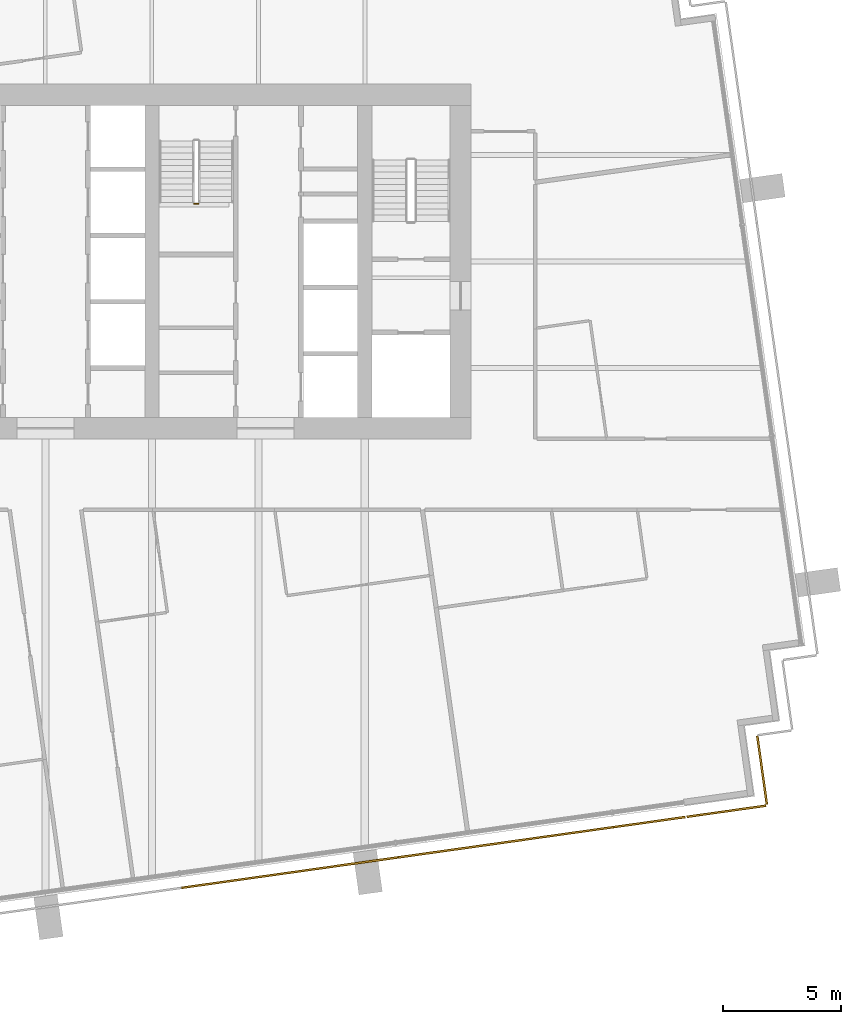
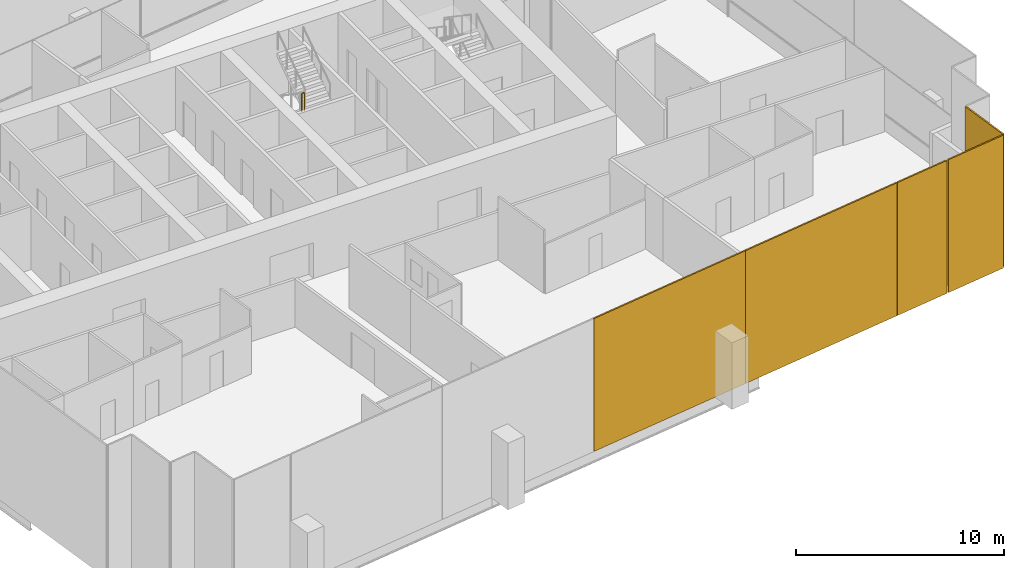
# One storey, part 14 of 17: 5 coverings, 1 railing.
"""IFC4 building model written with IfcOpenShell, lengths in metres."""

from ifc_helpers import new_model, si_unit, direction, frame, origin, origin_2d, place, context, subcontext, project, spatial, rectangle, extrude, material, layer, layer_set, type_object, element, save


model = new_model("IFC4")

# Units and contexts
model_context = context("Model", 3, precision=1e-05, world=origin(), true_north=direction((0.0, 1.0)))
body_context = subcontext(model_context, "Body", "Model", "MODEL_VIEW")
ifc_project = project(units=[si_unit("LENGTHUNIT", "METRE"), si_unit("AREAUNIT", "SQUARE_METRE"), si_unit("VOLUMEUNIT", "CUBIC_METRE"), si_unit("PLANEANGLEUNIT", "RADIAN"), si_unit("MASSUNIT", "GRAM", prefix="KILO")], contexts=[model_context])

# Site, building, storey
site_placement = place(None, origin())
site = spatial("IfcSite", under=ifc_project, at=site_placement, CompositionType="ELEMENT")
building_placement = place(site_placement, origin())
building = spatial("IfcBuilding", under=site, at=building_placement, Name="Rattan Terrace Tower", CompositionType="ELEMENT")
storey_placement = place(building_placement, frame((0.0, 0.0, 225.199951171875)))
storey = spatial("IfcBuildingStorey", under=building, at=storey_placement, Name="L51", CompositionType="ELEMENT", Elevation=225.199951171875)

# Railing
ifc_material_1 = material(Name="Powder-coated steel guard", Category="steel")
railing_type = type_object("IfcRailingType", Name="Core stair guard", PredefinedType="GUARDRAIL", material=ifc_material_1)
railing_placement = place(storey_placement, frame((6.300048828125, 2.449951171875, 1.949951171875)))
element("IfcRailing", 1, at=railing_placement, inside=storey, type_object=railing_type, Name="L51 S3 stair guard 2", PredefinedType="GUARDRAIL", context=body_context, shape_type="SweptSolid", body=[
    extrude(rectangle(XDim=0.048095703125, YDim=0.048095703125, at=origin_2d()), frame((0.0, 0.0, 1.076171875), z_axis=(1.0, 0.0, 0.0), x_axis=(0.0, 1.0, 0.0)), (0.0, 0.0, 1.0), 0.14990234375),
    extrude(rectangle(XDim=0.0419921875, YDim=0.0419921875, at=origin_2d()), origin(), (0.0, 0.0, 1.0), 1.052001953125),
    extrude(rectangle(XDim=0.0419921875, YDim=0.0419921875, at=origin_2d()), frame((0.14990234375, 0.0, 0.0)), (0.0, 0.0, 1.0), 1.052001953125),
])

# Coverings
ifc_material_2 = material(Name="Perforated terracotta", Category="masonry")
ifc_layer = layer(ifc_material_2, 0.080078125)
ifc_layer_set = layer_set([ifc_layer], Name="Facade Terracotta Screen Panel HZ")
covering_type = type_object("IfcCoveringType", Name="Facade Terracotta Screen Panel HZ", PredefinedType="CLADDING", material=ifc_layer_set)
covering_1_placement = place(storey_placement, frame((28.791259765625, -23.2421875, -0.18994140625), z_axis=(0.0, 0.0, 1.0), x_axis=(0.990247240581, 0.139321220646, 0.0)))
element("IfcCovering", 2, at=covering_1_placement, inside=storey, type_object=covering_type, Name="OUTER SKIN panel L51-1", PredefinedType="CLADDING", context=body_context, shape_type="SweptSolid", body=[
    extrude(rectangle(XDim=3.3701171875, YDim=0.080078125, at=origin_2d()), origin(), (0.0, 0.0, 1.0), 7.780029296875),
])
covering_2_placement = place(storey_placement, frame((30.299560546875, -21.505126953125, -0.18994140625), z_axis=(0.0, 0.0, 1.0), x_axis=(-0.138994363123, 0.990293172258, 0.0)))
element("IfcCovering", 3, at=covering_2_placement, inside=storey, type_object=covering_type, Name="OUTER SKIN panel L51-2", PredefinedType="CLADDING", context=body_context, shape_type="SweptSolid", body=[
    extrude(rectangle(XDim=2.919921875, YDim=0.080078125, at=origin_2d()), origin(), (0.0, 0.0, 1.0), 7.780029296875),
])
for number, where, z_axis, x_axis, name in (
    (4, (10.325927734375, -25.837646484375, -0.18994140625), (0.0, 0.0, 1.0), (0.990267457022, 0.139177453499, 0.0), "OUTER SKIN panel L51-34"),
    (5, (19.467041015625, -24.552978515625, -0.18994140625), (0.0, 0.0, 1.0), (0.990267457022, 0.139177453499, 0.0), "OUTER SKIN panel L51-35"),
):
    element("IfcCovering", number, at=place(storey_placement, frame(where, z_axis=z_axis, x_axis=x_axis)), inside=storey, type_object=covering_type, Name=name, PredefinedType="CLADDING", context=body_context, shape_type="SweptSolid", body=[
        extrude(rectangle(XDim=9.2109375, YDim=0.080078125, at=origin_2d()), origin(), (0.0, 0.0, 1.0), 7.780029296875),
    ])
covering_3_placement = place(storey_placement, frame((25.54541015625, -23.69873046875, -0.18994140625), z_axis=(0.0, 0.0, 1.0), x_axis=(0.990267457022, 0.139177453499, 0.0)))
element("IfcCovering", 6, at=covering_3_placement, inside=storey, type_object=covering_type, Name="OUTER SKIN panel L51-36", PredefinedType="CLADDING", context=body_context, shape_type="SweptSolid", body=[
    extrude(rectangle(XDim=3.025390625, YDim=0.080078125, at=origin_2d()), origin(), (0.0, 0.0, 1.0), 7.780029296875),
])

save(model, "model.ifc")
